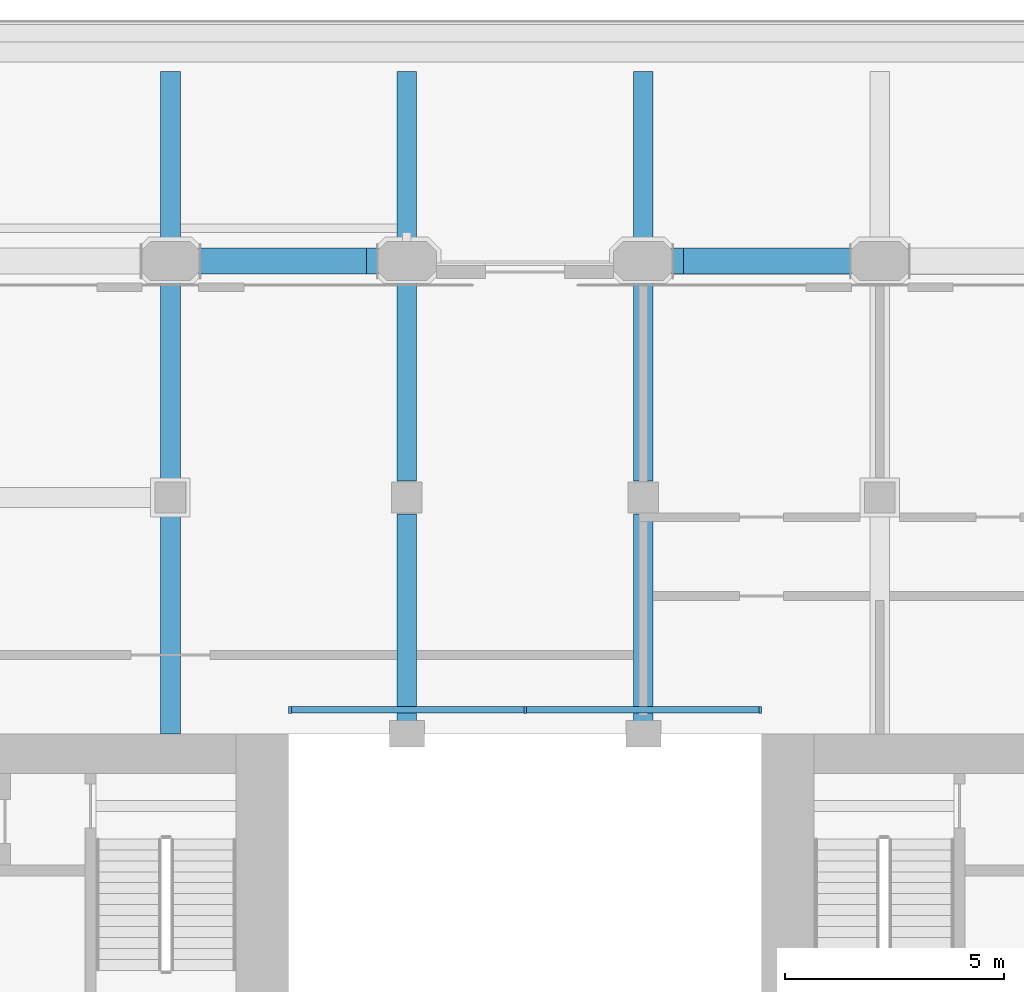
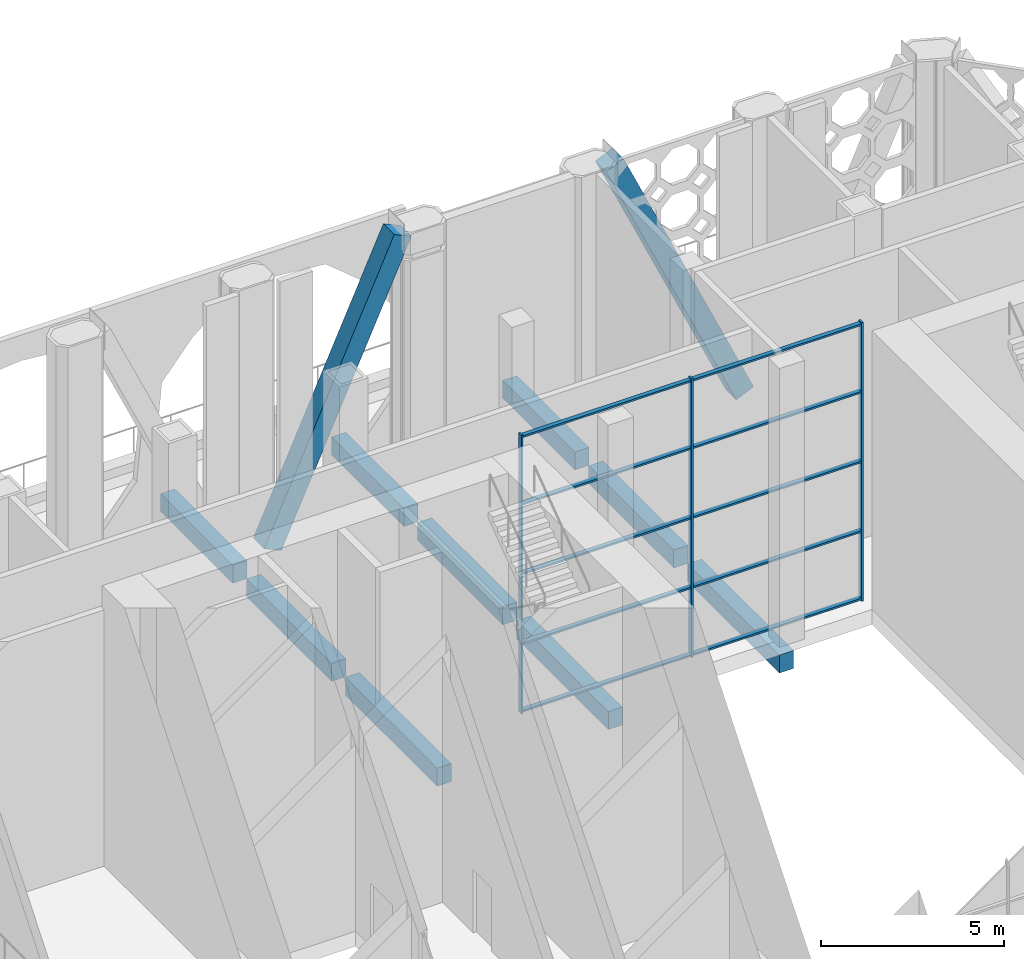
# One storey, part 4 of 28: 15 members, 9 beams, 1 element without a shape of its own.
"""IFC4 building model written with IfcOpenShell, lengths in metres."""

from ifc_helpers import new_model, si_unit, direction, frame, origin, origin_2d, place, context, subcontext, project, spatial, rectangle, extrude, material, material_profile, profile_set, type_object, element, aggregate, save


model = new_model("IFC4")

# Units and contexts
model_context = context("Model", 3, precision=1e-05, world=origin(), true_north=direction((0.0, 1.0)))
body_context = subcontext(model_context, "Body", "Model", "MODEL_VIEW")
ifc_project = project(units=[si_unit("LENGTHUNIT", "METRE"), si_unit("AREAUNIT", "SQUARE_METRE"), si_unit("VOLUMEUNIT", "CUBIC_METRE"), si_unit("PLANEANGLEUNIT", "RADIAN"), si_unit("MASSUNIT", "GRAM", prefix="KILO")], contexts=[model_context])

# Site, building, storey
site_placement = place(None, origin())
site = spatial("IfcSite", under=ifc_project, at=site_placement, CompositionType="ELEMENT")
building_placement = place(site_placement, origin())
building = spatial("IfcBuilding", under=site, at=building_placement, Name="Tabaq Tower and Sports Hall", CompositionType="ELEMENT")
storey_placement = place(building_placement, frame((0.0, 0.0, 233.5)))
storey = spatial("IfcBuildingStorey", under=building, at=storey_placement, Name="L59", CompositionType="ELEMENT", Elevation=233.5)

# Curtain wall, members
ifc_material_1 = material(Name="Aluminium alloy 6063-T6 framed glazing", Category="aluminium")
curtain_wall_type = type_object("IfcCurtainWallType", Name="CW1 curtain wall", PredefinedType="USERDEFINED", material=ifc_material_1)
curtain_wall_placement = place(storey_placement, origin())
curtain_wall = element("IfcCurtainWall", 1, at=curtain_wall_placement, inside=storey, type_object=curtain_wall_type, Name="Atrium glazing L59 N", ObjectType="ATRIUM ENCLOSURE", PredefinedType="USERDEFINED")
ifc_material_2 = material(Name="Aluminium alloy 6063-T6", Category="aluminium")
ifc_material_profile_1 = material_profile(ifc_material_2, rectangle(XDim=0.159912109375, YDim=0.06005859375, at=origin_2d()), Name="MULLION 160x60")
ifc_profile_set_1 = profile_set([ifc_material_profile_1], Name="Aluminium alloy 6063-T6")
member_type_1 = type_object("IfcMemberType", Name="CW1 mullion 160x60", PredefinedType="MULLION", material=ifc_profile_set_1)
member_1_placement = place(storey_placement, frame((18.929931640625, 32.949951171875, 0.0), z_axis=(0.0, 0.0, 1.0), x_axis=(0.0, 1.0, 0.0)))
member_1 = element("IfcMember", 2, at=member_1_placement, type_object=member_type_1, Name="CW1 mullion 1", PredefinedType="MULLION", context=body_context, shape_type="SweptSolid", body=[
    extrude(rectangle(XDim=0.159912109375, YDim=0.06005859375, at=origin_2d()), origin(), (0.0, 0.0, 1.0), 9.300048828125),
])
member_2_placement = place(storey_placement, frame((24.300048828125, 32.949951171875, 0.0), z_axis=(0.0, 0.0, 1.0), x_axis=(0.0, 1.0, 0.0)))
member_2 = element("IfcMember", 3, at=member_2_placement, type_object=member_type_1, Name="CW1 mullion 2", PredefinedType="MULLION", context=body_context, shape_type="SweptSolid", body=[
    extrude(rectangle(XDim=0.159912109375, YDim=0.06005859375, at=origin_2d()), origin(), (0.0, 0.0, 1.0), 9.300048828125),
])
member_3_placement = place(storey_placement, frame((29.669921875, 32.949951171875, 0.0), z_axis=(0.0, 0.0, 1.0), x_axis=(0.0, 1.0, 0.0)))
member_3 = element("IfcMember", 4, at=member_3_placement, type_object=member_type_1, Name="CW1 mullion 3", PredefinedType="MULLION", context=body_context, shape_type="SweptSolid", body=[
    extrude(rectangle(XDim=0.159912109375, YDim=0.06005859375, at=origin_2d()), origin(), (0.0, 0.0, 1.0), 9.300048828125),
])
ifc_material_3 = material(Name="Aluminium alloy 6063-T6", Category="aluminium")
ifc_material_profile_2 = material_profile(ifc_material_3, rectangle(XDim=0.139892578125, YDim=0.06005859375, at=origin_2d()), Name="TRANSOM 140x60")
ifc_profile_set_2 = profile_set([ifc_material_profile_2], Name="Aluminium alloy 6063-T6")
member_type_2 = type_object("IfcMemberType", Name="CW1 transom 140x60", PredefinedType="USERDEFINED", material=ifc_profile_set_2)
member_4_placement = place(storey_placement, frame((18.9599609375, 32.949951171875, 0.070068359375), z_axis=(1.0, 0.0, 0.0), x_axis=(0.0, 1.0, 0.0)))
member_4 = element("IfcMember", 5, at=member_4_placement, type_object=member_type_2, Name="CW1 transom 1.1", ObjectType="TRANSOM", PredefinedType="USERDEFINED", context=body_context, shape_type="SweptSolid", body=[
    extrude(rectangle(XDim=0.139892578125, YDim=0.06005859375, at=origin_2d()), origin(), (0.0, 0.0, 1.0), 5.31005859375),
])
member_5_placement = place(storey_placement, frame((18.9599609375, 32.949951171875, 2.324951171875), z_axis=(1.0, 0.0, 0.0), x_axis=(0.0, 1.0, 0.0)))
member_5 = element("IfcMember", 6, at=member_5_placement, type_object=member_type_2, Name="CW1 transom 1.2", ObjectType="TRANSOM", PredefinedType="USERDEFINED", context=body_context, shape_type="SweptSolid", body=[
    extrude(rectangle(XDim=0.139892578125, YDim=0.06005859375, at=origin_2d()), origin(), (0.0, 0.0, 1.0), 5.31005859375),
])
member_6_placement = place(storey_placement, frame((18.9599609375, 32.949951171875, 4.64990234375), z_axis=(1.0, 0.0, 0.0), x_axis=(0.0, 1.0, 0.0)))
member_6 = element("IfcMember", 7, at=member_6_placement, type_object=member_type_2, Name="CW1 transom 1.3", ObjectType="TRANSOM", PredefinedType="USERDEFINED", context=body_context, shape_type="SweptSolid", body=[
    extrude(rectangle(XDim=0.139892578125, YDim=0.06005859375, at=origin_2d()), origin(), (0.0, 0.0, 1.0), 5.31005859375),
])
member_7_placement = place(storey_placement, frame((18.9599609375, 32.949951171875, 6.97509765625), z_axis=(1.0, 0.0, 0.0), x_axis=(0.0, 1.0, 0.0)))
member_7 = element("IfcMember", 8, at=member_7_placement, type_object=member_type_2, Name="CW1 transom 1.4", ObjectType="TRANSOM", PredefinedType="USERDEFINED", context=body_context, shape_type="SweptSolid", body=[
    extrude(rectangle(XDim=0.139892578125, YDim=0.06005859375, at=origin_2d()), origin(), (0.0, 0.0, 1.0), 5.31005859375),
])
member_8_placement = place(storey_placement, frame((18.9599609375, 32.949951171875, 9.22998046875), z_axis=(1.0, 0.0, 0.0), x_axis=(0.0, 1.0, 0.0)))
member_8 = element("IfcMember", 9, at=member_8_placement, type_object=member_type_2, Name="CW1 transom 1.5", ObjectType="TRANSOM", PredefinedType="USERDEFINED", context=body_context, shape_type="SweptSolid", body=[
    extrude(rectangle(XDim=0.139892578125, YDim=0.06005859375, at=origin_2d()), origin(), (0.0, 0.0, 1.0), 5.31005859375),
])
member_9_placement = place(storey_placement, frame((24.330078125, 32.949951171875, 0.070068359375), z_axis=(1.0, 0.0, 0.0), x_axis=(0.0, 1.0, 0.0)))
member_9 = element("IfcMember", 10, at=member_9_placement, type_object=member_type_2, Name="CW1 transom 2.1", ObjectType="TRANSOM", PredefinedType="USERDEFINED", context=body_context, shape_type="SweptSolid", body=[
    extrude(rectangle(XDim=0.139892578125, YDim=0.06005859375, at=origin_2d()), origin(), (0.0, 0.0, 1.0), 5.309814453125),
])
member_10_placement = place(storey_placement, frame((24.330078125, 32.949951171875, 2.324951171875), z_axis=(1.0, 0.0, 0.0), x_axis=(0.0, 1.0, 0.0)))
member_10 = element("IfcMember", 11, at=member_10_placement, type_object=member_type_2, Name="CW1 transom 2.2", ObjectType="TRANSOM", PredefinedType="USERDEFINED", context=body_context, shape_type="SweptSolid", body=[
    extrude(rectangle(XDim=0.139892578125, YDim=0.06005859375, at=origin_2d()), origin(), (0.0, 0.0, 1.0), 5.309814453125),
])
member_11_placement = place(storey_placement, frame((24.330078125, 32.949951171875, 4.64990234375), z_axis=(1.0, 0.0, 0.0), x_axis=(0.0, 1.0, 0.0)))
member_11 = element("IfcMember", 12, at=member_11_placement, type_object=member_type_2, Name="CW1 transom 2.3", ObjectType="TRANSOM", PredefinedType="USERDEFINED", context=body_context, shape_type="SweptSolid", body=[
    extrude(rectangle(XDim=0.139892578125, YDim=0.06005859375, at=origin_2d()), origin(), (0.0, 0.0, 1.0), 5.309814453125),
])
member_12_placement = place(storey_placement, frame((24.330078125, 32.949951171875, 6.97509765625), z_axis=(1.0, 0.0, 0.0), x_axis=(0.0, 1.0, 0.0)))
member_12 = element("IfcMember", 13, at=member_12_placement, type_object=member_type_2, Name="CW1 transom 2.4", ObjectType="TRANSOM", PredefinedType="USERDEFINED", context=body_context, shape_type="SweptSolid", body=[
    extrude(rectangle(XDim=0.139892578125, YDim=0.06005859375, at=origin_2d()), origin(), (0.0, 0.0, 1.0), 5.309814453125),
])
member_13_placement = place(storey_placement, frame((24.330078125, 32.949951171875, 9.22998046875), z_axis=(1.0, 0.0, 0.0), x_axis=(0.0, 1.0, 0.0)))
member_13 = element("IfcMember", 14, at=member_13_placement, type_object=member_type_2, Name="CW1 transom 2.5", ObjectType="TRANSOM", PredefinedType="USERDEFINED", context=body_context, shape_type="SweptSolid", body=[
    extrude(rectangle(XDim=0.139892578125, YDim=0.06005859375, at=origin_2d()), origin(), (0.0, 0.0, 1.0), 5.309814453125),
])
aggregate(curtain_wall, [member_1, member_2, member_3, member_4, member_5, member_6, member_7, member_8, member_9, member_10, member_11, member_12, member_13])

# Beams
ifc_material_4 = material(Name="Concrete C40/50", Category="concrete")
ifc_material_profile_3 = material_profile(ifc_material_4, rectangle(XDim=0.449951171875, YDim=0.60009765625, at=origin_2d()), Name="CB 450x600")
ifc_profile_set_3 = profile_set([ifc_material_profile_3], Name="Concrete C40/50")
beam_type = type_object("IfcBeamType", Name="PT CANTILEVER BEAM CB 450x600 C40/50", PredefinedType="BEAM", material=ifc_profile_set_3)
beam_1_placement = place(storey_placement, frame((16.199951171875, 47.52490234375, -0.800048828125), z_axis=(0.0, -1.0, 0.0), x_axis=(1.0, 0.0, 0.0)))
element("IfcBeam", 15, at=beam_1_placement, inside=storey, type_object=beam_type, Name="Cantilever Beam L59 N3 span 1", PredefinedType="BEAM", context=body_context, shape_type="SweptSolid", body=[
    extrude(rectangle(XDim=0.449951171875, YDim=0.60009765625, at=origin_2d()), origin(), (0.0, 0.0, 1.0), 3.949951171875),
])
beam_2_placement = place(storey_placement, frame((16.199951171875, 42.824951171875, -0.800048828125), z_axis=(0.0, -1.0, 0.0), x_axis=(1.0, 0.0, 0.0)))
element("IfcBeam", 16, at=beam_2_placement, inside=storey, type_object=beam_type, Name="Cantilever Beam L59 N3 span 2", PredefinedType="BEAM", context=body_context, shape_type="SweptSolid", body=[
    extrude(rectangle(XDim=0.449951171875, YDim=0.60009765625, at=origin_2d()), origin(), (0.0, 0.0, 1.0), 4.64990234375),
])
beam_3_placement = place(storey_placement, frame((16.199951171875, 37.425048828125, -0.800048828125), z_axis=(0.0, -1.0, 0.0), x_axis=(1.0, 0.0, 0.0)))
element("IfcBeam", 17, at=beam_3_placement, inside=storey, type_object=beam_type, Name="Cantilever Beam L59 N3 span 3", PredefinedType="BEAM", context=body_context, shape_type="SweptSolid", body=[
    extrude(rectangle(XDim=0.449951171875, YDim=0.60009765625, at=origin_2d()), origin(), (0.0, 0.0, 1.0), 5.025146484375),
])
beam_4_placement = place(storey_placement, frame((21.60009765625, 47.52490234375, -0.800048828125), z_axis=(0.0, -1.0, 0.0), x_axis=(1.0, 0.0, 0.0)))
element("IfcBeam", 18, at=beam_4_placement, inside=storey, type_object=beam_type, Name="Cantilever Beam L59 N4 span 1", PredefinedType="BEAM", context=body_context, shape_type="SweptSolid", body=[
    extrude(rectangle(XDim=0.449951171875, YDim=0.60009765625, at=origin_2d()), origin(), (0.0, 0.0, 1.0), 3.949951171875),
])
beam_5_placement = place(storey_placement, frame((21.60009765625, 42.824951171875, -0.800048828125), z_axis=(0.0, -1.0, 0.0), x_axis=(1.0, 0.0, 0.0)))
element("IfcBeam", 19, at=beam_5_placement, inside=storey, type_object=beam_type, Name="Cantilever Beam L59 N4 span 2", PredefinedType="BEAM", context=body_context, shape_type="SweptSolid", body=[
    extrude(rectangle(XDim=0.449951171875, YDim=0.60009765625, at=origin_2d()), origin(), (0.0, 0.0, 1.0), 4.64990234375),
])
beam_6_placement = place(storey_placement, frame((21.60009765625, 37.425048828125, -0.800048828125), z_axis=(0.0, -1.0, 0.0), x_axis=(1.0, 0.0, 0.0)))
element("IfcBeam", 20, at=beam_6_placement, inside=storey, type_object=beam_type, Name="Cantilever Beam L59 N4 span 3", PredefinedType="BEAM", context=body_context, shape_type="SweptSolid", body=[
    extrude(rectangle(XDim=0.449951171875, YDim=0.60009765625, at=origin_2d()), origin(), (0.0, 0.0, 1.0), 5.025146484375),
])
beam_7_placement = place(storey_placement, frame((27.0, 47.52490234375, -0.800048828125), z_axis=(0.0, -1.0, 0.0), x_axis=(1.0, 0.0, 0.0)))
element("IfcBeam", 21, at=beam_7_placement, inside=storey, type_object=beam_type, Name="Cantilever Beam L59 N5 span 1", PredefinedType="BEAM", context=body_context, shape_type="SweptSolid", body=[
    extrude(rectangle(XDim=0.449951171875, YDim=0.60009765625, at=origin_2d()), origin(), (0.0, 0.0, 1.0), 3.949951171875),
])
beam_8_placement = place(storey_placement, frame((27.0, 42.824951171875, -0.800048828125), z_axis=(0.0, -1.0, 0.0), x_axis=(1.0, 0.0, 0.0)))
element("IfcBeam", 22, at=beam_8_placement, inside=storey, type_object=beam_type, Name="Cantilever Beam L59 N5 span 2", PredefinedType="BEAM", context=body_context, shape_type="SweptSolid", body=[
    extrude(rectangle(XDim=0.449951171875, YDim=0.60009765625, at=origin_2d()), origin(), (0.0, 0.0, 1.0), 4.64990234375),
])
beam_9_placement = place(storey_placement, frame((27.0, 37.425048828125, -0.800048828125), z_axis=(0.0, -1.0, 0.0), x_axis=(1.0, 0.0, 0.0)))
element("IfcBeam", 23, at=beam_9_placement, inside=storey, type_object=beam_type, Name="Cantilever Beam L59 N5 span 3", PredefinedType="BEAM", context=body_context, shape_type="SweptSolid", body=[
    extrude(rectangle(XDim=0.449951171875, YDim=0.60009765625, at=origin_2d()), origin(), (0.0, 0.0, 1.0), 5.025146484375),
])

# Members
ifc_material_5 = material(Name="Concrete C40/50", Category="concrete")
ifc_material_profile_4 = material_profile(ifc_material_5, rectangle(XDim=0.60009765625, YDim=0.60009765625, at=origin_2d()), Name="BELT STRUT 600x600")
ifc_profile_set_4 = profile_set([ifc_material_profile_4], Name="Concrete C40/50")
member_type_3 = type_object("IfcMemberType", Name="RC BELT TRUSS STRUT BELT STRUT 600x600 C40/50", PredefinedType="BRACE", material=ifc_profile_set_4)
for number, where, z_axis, x_axis, name in (
    (24, (31.7548828125, 43.199951171875, 0.1240234375), (-0.41341249838, 0.0, 0.910543851873), (0.0, -1.0, 0.0), "Belt Truss Strut L59 3"),
    (25, (16.844970703125, 43.199951171875, 0.1240234375), (0.413432859019, 0.0, 0.910534607296), (0.0, 1.0, 0.0), "Belt Truss Strut L59 4"),
):
    element("IfcMember", number, at=place(storey_placement, frame(where, z_axis=z_axis, x_axis=x_axis)), inside=storey, type_object=member_type_3, Name=name, PredefinedType="BRACE", context=body_context, shape_type="SweptSolid", body=[
        extrude(rectangle(XDim=0.60009765625, YDim=0.60009765625, at=origin_2d()), origin(), (0.0, 0.0, 1.0), 9.94140625),
    ])

save(model, "model.ifc")
